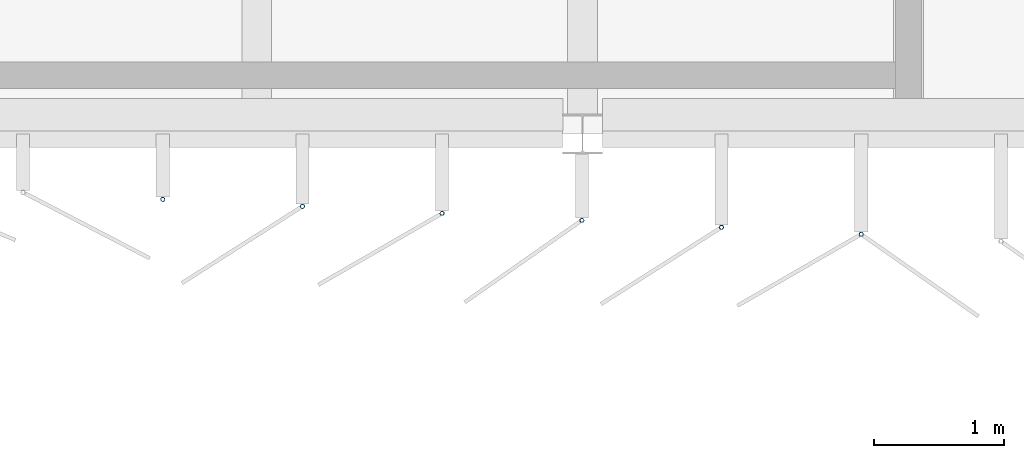
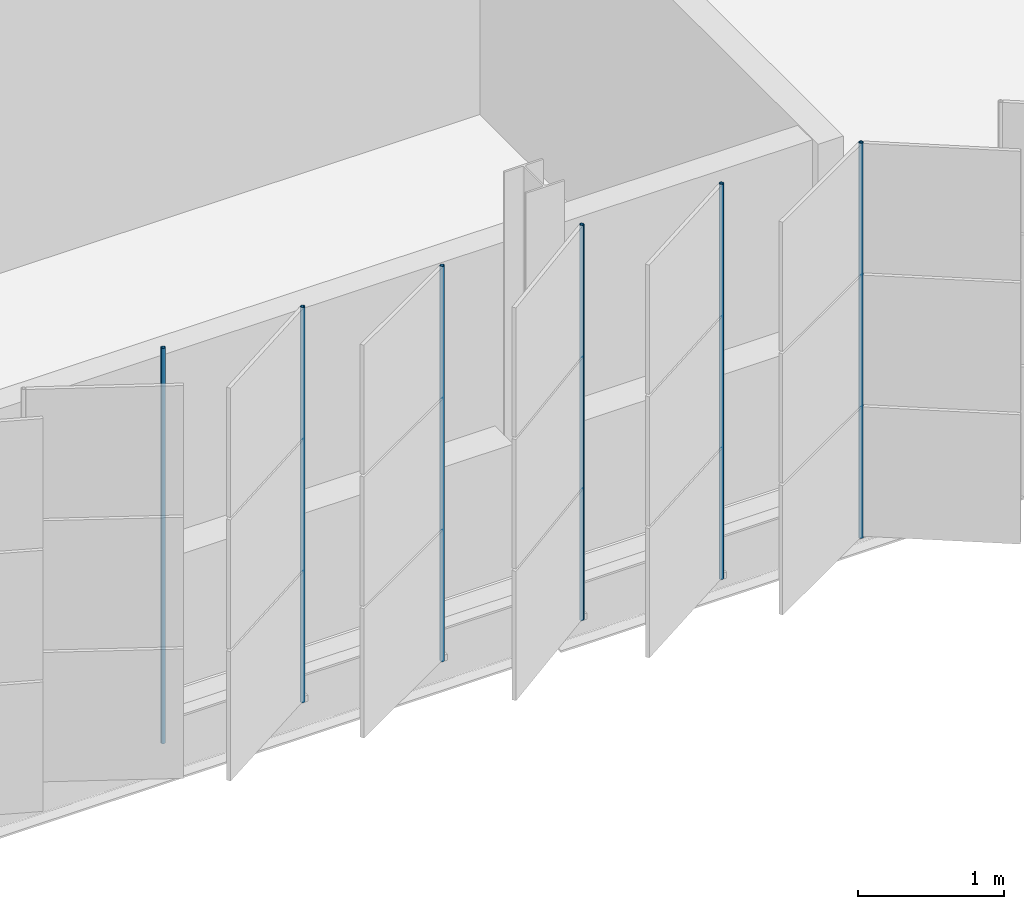
# One storey, part 111 of 199: 6 discrete accessories.
"""IFC4 building model written with IfcOpenShell, lengths in metres."""

from ifc_helpers import new_model, si_unit, direction, frame, origin, origin_2d, place, context, subcontext, project, spatial, hollow_circle, extrude, material, material_profile, profile_set, type_object, element, save


model = new_model("IFC4")

# Units and contexts
model_context = context("Model", 3, precision=1e-05, world=origin(), true_north=direction((0.0, 1.0)))
body_context = subcontext(model_context, "Body", "Model", "MODEL_VIEW")
ifc_project = project(units=[si_unit("LENGTHUNIT", "METRE"), si_unit("AREAUNIT", "SQUARE_METRE"), si_unit("VOLUMEUNIT", "CUBIC_METRE"), si_unit("PLANEANGLEUNIT", "RADIAN"), si_unit("MASSUNIT", "GRAM", prefix="KILO")], contexts=[model_context])

# Site, building, storey
site_placement = place(None, origin())
site = spatial("IfcSite", under=ifc_project, at=site_placement, CompositionType="ELEMENT")
building_placement = place(site_placement, origin())
building = spatial("IfcBuilding", under=site, at=building_placement, Name="Parallax Yard Mobility Hub", CompositionType="ELEMENT")
storey_placement = place(building_placement, frame((0.0, 0.0, 9.89990234375)))
storey = spatial("IfcBuildingStorey", under=building, at=storey_placement, Name="L03", CompositionType="ELEMENT", Elevation=9.89990234375)

# Discrete accessories
ifc_material = material(Name="Steel ASTM A500 Gr C, hot-dip galvanised", Category="steel")
ifc_material_profile = material_profile(ifc_material, hollow_circle(Radius=0.016845703125, WallThickness=0.003173828125, at=origin_2d()), Name="CHS 33.7x3.2")
ifc_profile_set = profile_set([ifc_material_profile], Name="Steel ASTM A500 Gr C, hot-dip galvanised")
discrete_accessory_type = type_object("IfcDiscreteAccessoryType", Name="Hinge post CHS 33.7x3.2", PredefinedType="BRACKET", material=ifc_profile_set)
for number, where, z_axis, x_axis, name in (
    (1, (161.780029296875, 111.998291015625, 0.0), (0.0, 0.0, 1.0), (1.0, 0.0, 0.0), "Hinge post bay 16.5 level L03"),
    (2, (162.8515625, 111.944580078125, 0.0), (0.0, 0.0, 1.0), (1.0, 0.0, 0.0), "Hinge post bay 16.6 level L03"),
    (3, (163.923095703125, 111.89111328125, 0.0), (0.0, 0.0, 1.0), (1.0, 0.0, 0.0), "Hinge post bay 16.7 level L03"),
    (4, (164.99462890625, 111.83740234375, 0.0), (0.0, 0.0, 1.0), (1.0, 0.0, 0.0), "Hinge post bay 17.1 level L03"),
    (5, (166.066162109375, 111.783935546875, 0.0), (0.0, 0.0, 1.0), (1.0, 0.0, 0.0), "Hinge post bay 17.2 level L03"),
    (6, (167.1376953125, 111.73046875, 0.0), (0.0, 0.0, 1.0), (1.0, 0.0, 0.0), "Hinge post bay 17.3 level L03"),
):
    element("IfcDiscreteAccessory", number, at=place(storey_placement, frame(where, z_axis=z_axis, x_axis=x_axis)), inside=storey, type_object=discrete_accessory_type, Name=name, PredefinedType="BRACKET", context=body_context, shape_type="SweptSolid", body=[
        extrude(hollow_circle(Radius=0.016845703125, WallThickness=0.003173828125, at=origin_2d()), origin(), (0.0, 0.0, 1.0), 3.300048828125),
    ])

save(model, "model.ifc")
